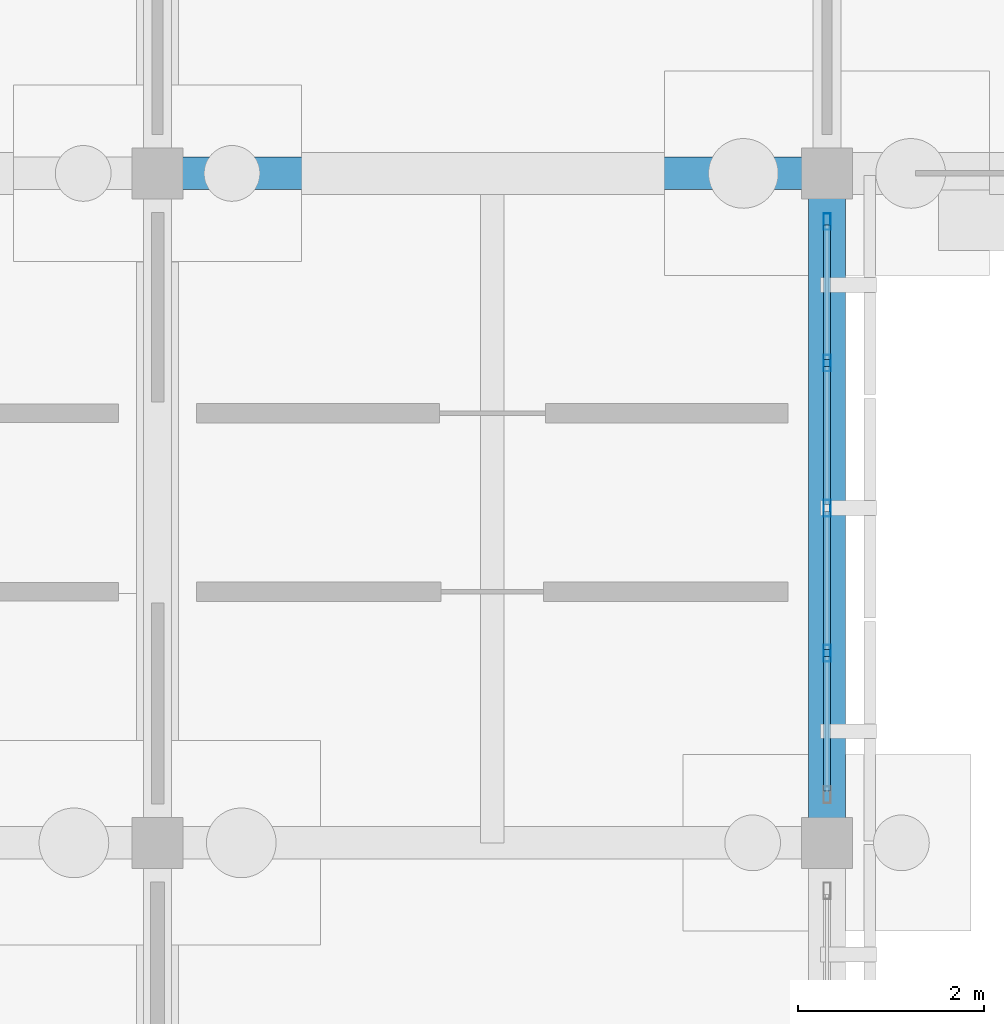
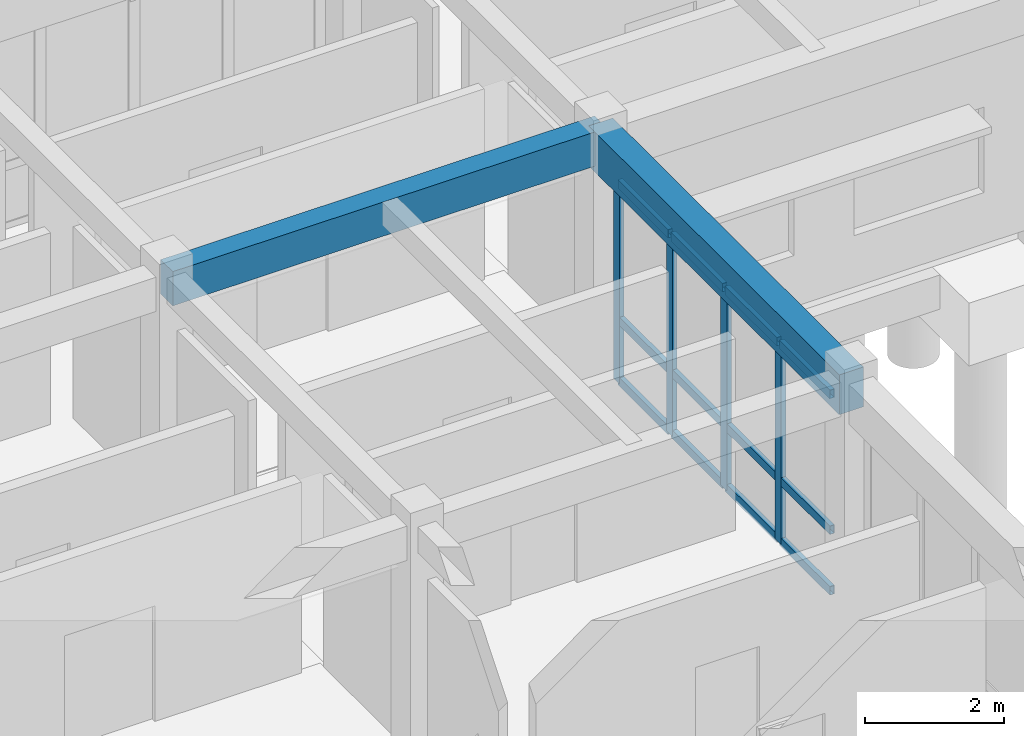
# One storey, part 26 of 111: 16 members, 2 beams, 1 element without a shape of its own.
"""IFC4 building model written with IfcOpenShell, lengths in metres."""

from ifc_helpers import new_model, si_unit, direction, frame, origin, origin_2d, place, context, subcontext, project, spatial, rectangle, hollow_rectangle, extrude, material, material_profile, profile_set, type_object, element, aggregate, save


model = new_model("IFC4")

# Units and contexts
model_context = context("Model", 3, precision=1e-05, world=origin(), true_north=direction((0.0, 1.0)))
body_context = subcontext(model_context, "Body", "Model", "MODEL_VIEW")
ifc_project = project(units=[si_unit("LENGTHUNIT", "METRE"), si_unit("AREAUNIT", "SQUARE_METRE"), si_unit("VOLUMEUNIT", "CUBIC_METRE"), si_unit("PLANEANGLEUNIT", "RADIAN"), si_unit("MASSUNIT", "GRAM", prefix="KILO")], contexts=[model_context])

# Site, building, storey
site_placement = place(None, origin())
site = spatial("IfcSite", under=ifc_project, at=site_placement, CompositionType="ELEMENT")
building_placement = place(site_placement, origin())
building = spatial("IfcBuilding", under=site, at=building_placement, Name="Aldebral Square Health Centre", CompositionType="ELEMENT")
storey_placement = place(building_placement, origin())
storey = spatial("IfcBuildingStorey", under=building, at=storey_placement, Name="L00", CompositionType="ELEMENT", Elevation=0.0)

# Beams
ifc_material_1 = material(Name="Concrete C40/50", Category="concrete")
ifc_material_profile_1 = material_profile(ifc_material_1, rectangle(XDim=0.35009765625, YDim=0.60009765625, at=origin_2d()), Name="RC 350x600")
ifc_profile_set_1 = profile_set([ifc_material_profile_1], Name="Concrete C40/50")
beam_type_1 = type_object("IfcBeamType", Name="BM-B2", PredefinedType="BEAM", material=ifc_profile_set_1)
beam_1_placement = place(storey_placement, frame((100.800048828125, 93.60009765625, 3.919921875), z_axis=(1.0, 0.0, 0.0), x_axis=(0.0, 1.0, 0.0)))
element("IfcBeam", 1, at=beam_1_placement, inside=storey, type_object=beam_type_1, Name="L00 X-beam 15-16/G14", PredefinedType="BEAM", context=body_context, shape_type="SweptSolid", body=[
    extrude(rectangle(XDim=0.35009765625, YDim=0.60009765625, at=origin_2d()), origin(), (0.0, 0.0, 1.0), 7.199951171875),
])
ifc_material_profile_2 = material_profile(ifc_material_1, rectangle(XDim=0.39990234375, YDim=0.699951171875, at=origin_2d()), Name="RC 400x700")
ifc_profile_set_2 = profile_set([ifc_material_profile_2], Name="Concrete C40/50")
beam_type_2 = type_object("IfcBeamType", Name="BM-G3", PredefinedType="T_BEAM", material=ifc_profile_set_2)
beam_2_placement = place(storey_placement, frame((108.0, 86.39990234375, 3.8701171875), z_axis=(0.0, 1.0, 0.0), x_axis=(-1.0, 0.0, 0.0)))
element("IfcBeam", 2, at=beam_2_placement, inside=storey, type_object=beam_type_2, Name="L00 Y-beam G16/13-14", PredefinedType="T_BEAM", context=body_context, shape_type="SweptSolid", body=[
    extrude(rectangle(XDim=0.39990234375, YDim=0.699951171875, at=origin_2d()), origin(), (0.0, 0.0, 1.0), 7.2001953125),
])

# Curtain wall, members
ifc_material_2 = material(Name="Aluminium and low-E solar glass", Category="aluminium")
curtain_wall_type = type_object("IfcCurtainWallType", Name="CW-HALL-SYS", PredefinedType="USERDEFINED", material=ifc_material_2)
curtain_wall_placement = place(storey_placement, origin())
curtain_wall = element("IfcCurtainWall", 3, at=curtain_wall_placement, inside=storey, type_object=curtain_wall_type, Name="L00 V1 hall curtain wall L00-V1-14-12-E", ObjectType="HALL_CURTAIN_WALL", PredefinedType="USERDEFINED")
ifc_material_3 = material(Name="Anodised aluminium mullion", Category="aluminium")
ifc_material_profile_3 = material_profile(ifc_material_3, hollow_rectangle(XDim=0.074951171875, YDim=0.179931640625, WallThickness=0.00390625, at=origin_2d()), Name="CWM 75x180x4")
ifc_profile_set_3 = profile_set([ifc_material_profile_3], Name="Anodised aluminium mullion")
member_type_1 = type_object("IfcMemberType", Name="CWM-STD", PredefinedType="MULLION", material=ifc_profile_set_3)
member_1_placement = place(storey_placement, frame((108.0, 88.43994140625, 0.0), z_axis=(0.0, 0.0, 1.0), x_axis=(-1.0, 0.0, 0.0)))
member_1 = element("IfcMember", 4, at=member_1_placement, type_object=member_type_1, Name="CW2 mullion 2", PredefinedType="MULLION", context=body_context, shape_type="SweptSolid", body=[
    extrude(hollow_rectangle(XDim=0.074951171875, YDim=0.179931640625, WallThickness=0.00390625, at=origin_2d()), origin(), (0.0, 0.0, 1.0), 3.52001953125),
])
member_2_placement = place(storey_placement, frame((108.0, 90.0, 0.0), z_axis=(0.0, 0.0, 1.0), x_axis=(-1.0, 0.0, 0.0)))
member_2 = element("IfcMember", 5, at=member_2_placement, type_object=member_type_1, Name="CW2 mullion 3", PredefinedType="MULLION", context=body_context, shape_type="SweptSolid", body=[
    extrude(hollow_rectangle(XDim=0.074951171875, YDim=0.179931640625, WallThickness=0.00390625, at=origin_2d()), origin(), (0.0, 0.0, 1.0), 3.52001953125),
])
member_3_placement = place(storey_placement, frame((108.0, 91.56005859375, 0.0), z_axis=(0.0, 0.0, 1.0), x_axis=(-1.0, 0.0, 0.0)))
member_3 = element("IfcMember", 6, at=member_3_placement, type_object=member_type_1, Name="CW2 mullion 4", PredefinedType="MULLION", context=body_context, shape_type="SweptSolid", body=[
    extrude(hollow_rectangle(XDim=0.074951171875, YDim=0.179931640625, WallThickness=0.00390625, at=origin_2d()), origin(), (0.0, 0.0, 1.0), 3.52001953125),
])
member_4_placement = place(storey_placement, frame((108.0, 93.08251953125, 0.0), z_axis=(0.0, 0.0, 1.0), x_axis=(-1.0, 0.0, 0.0)))
member_4 = element("IfcMember", 7, at=member_4_placement, type_object=member_type_1, Name="CW2 mullion 5", PredefinedType="MULLION", context=body_context, shape_type="SweptSolid", body=[
    extrude(hollow_rectangle(XDim=0.074951171875, YDim=0.179931640625, WallThickness=0.00390625, at=origin_2d()), origin(), (0.0, 0.0, 1.0), 3.52001953125),
])
ifc_material_4 = material(Name="Anodised aluminium transom", Category="aluminium")
ifc_material_profile_4 = material_profile(ifc_material_4, hollow_rectangle(XDim=0.074951171875, YDim=0.14990234375, WallThickness=0.00390625, at=origin_2d()), Name="CWT 75x150x4")
ifc_profile_set_4 = profile_set([ifc_material_profile_4], Name="Anodised aluminium transom")
member_type_2 = type_object("IfcMemberType", Name="CWT-STD", PredefinedType="USERDEFINED", material=ifc_profile_set_4)
member_5_placement = place(storey_placement, frame((108.0, 86.955078125, 0.03759765625), z_axis=(0.0, 1.0, 0.0), x_axis=(-1.0, 0.0, 0.0)))
member_5 = element("IfcMember", 8, at=member_5_placement, type_object=member_type_2, Name="CW2 transom 1.1", ObjectType="TRANSOM", PredefinedType="USERDEFINED", context=body_context, shape_type="SweptSolid", body=[
    extrude(hollow_rectangle(XDim=0.074951171875, YDim=0.14990234375, WallThickness=0.00390625, at=origin_2d()), origin(), (0.0, 0.0, 1.0), 1.447509765625),
])
member_6_placement = place(storey_placement, frame((108.0, 86.955078125, 1.10009765625), z_axis=(0.0, 1.0, 0.0), x_axis=(-1.0, 0.0, 0.0)))
member_6 = element("IfcMember", 9, at=member_6_placement, type_object=member_type_2, Name="CW2 transom 1.2", ObjectType="TRANSOM", PredefinedType="USERDEFINED", context=body_context, shape_type="SweptSolid", body=[
    extrude(hollow_rectangle(XDim=0.074951171875, YDim=0.14990234375, WallThickness=0.00390625, at=origin_2d()), origin(), (0.0, 0.0, 1.0), 1.447509765625),
])
member_7_placement = place(storey_placement, frame((108.0, 86.955078125, 3.482421875), z_axis=(0.0, 1.0, 0.0), x_axis=(-1.0, 0.0, 0.0)))
member_7 = element("IfcMember", 10, at=member_7_placement, type_object=member_type_2, Name="CW2 transom 1.3", ObjectType="TRANSOM", PredefinedType="USERDEFINED", context=body_context, shape_type="SweptSolid", body=[
    extrude(hollow_rectangle(XDim=0.074951171875, YDim=0.14990234375, WallThickness=0.00390625, at=origin_2d()), origin(), (0.0, 0.0, 1.0), 1.447509765625),
])
member_8_placement = place(storey_placement, frame((108.0, 88.4775390625, 0.03759765625), z_axis=(0.0, 1.0, 0.0), x_axis=(-1.0, 0.0, 0.0)))
member_8 = element("IfcMember", 11, at=member_8_placement, type_object=member_type_2, Name="CW2 transom 2.1", ObjectType="TRANSOM", PredefinedType="USERDEFINED", context=body_context, shape_type="SweptSolid", body=[
    extrude(hollow_rectangle(XDim=0.074951171875, YDim=0.14990234375, WallThickness=0.00390625, at=origin_2d()), origin(), (0.0, 0.0, 1.0), 1.48486328125),
])
member_9_placement = place(storey_placement, frame((108.0, 88.4775390625, 1.10009765625), z_axis=(0.0, 1.0, 0.0), x_axis=(-1.0, 0.0, 0.0)))
member_9 = element("IfcMember", 12, at=member_9_placement, type_object=member_type_2, Name="CW2 transom 2.2", ObjectType="TRANSOM", PredefinedType="USERDEFINED", context=body_context, shape_type="SweptSolid", body=[
    extrude(hollow_rectangle(XDim=0.074951171875, YDim=0.14990234375, WallThickness=0.00390625, at=origin_2d()), origin(), (0.0, 0.0, 1.0), 1.48486328125),
])
member_10_placement = place(storey_placement, frame((108.0, 88.4775390625, 3.482421875), z_axis=(0.0, 1.0, 0.0), x_axis=(-1.0, 0.0, 0.0)))
member_10 = element("IfcMember", 13, at=member_10_placement, type_object=member_type_2, Name="CW2 transom 2.3", ObjectType="TRANSOM", PredefinedType="USERDEFINED", context=body_context, shape_type="SweptSolid", body=[
    extrude(hollow_rectangle(XDim=0.074951171875, YDim=0.14990234375, WallThickness=0.00390625, at=origin_2d()), origin(), (0.0, 0.0, 1.0), 1.48486328125),
])
member_11_placement = place(storey_placement, frame((108.0, 90.03759765625, 0.03759765625), z_axis=(0.0, 1.0, 0.0), x_axis=(-1.0, 0.0, 0.0)))
member_11 = element("IfcMember", 14, at=member_11_placement, type_object=member_type_2, Name="CW2 transom 3.1", ObjectType="TRANSOM", PredefinedType="USERDEFINED", context=body_context, shape_type="SweptSolid", body=[
    extrude(hollow_rectangle(XDim=0.074951171875, YDim=0.14990234375, WallThickness=0.00390625, at=origin_2d()), origin(), (0.0, 0.0, 1.0), 1.48486328125),
])
member_12_placement = place(storey_placement, frame((108.0, 90.03759765625, 1.10009765625), z_axis=(0.0, 1.0, 0.0), x_axis=(-1.0, 0.0, 0.0)))
member_12 = element("IfcMember", 15, at=member_12_placement, type_object=member_type_2, Name="CW2 transom 3.2", ObjectType="TRANSOM", PredefinedType="USERDEFINED", context=body_context, shape_type="SweptSolid", body=[
    extrude(hollow_rectangle(XDim=0.074951171875, YDim=0.14990234375, WallThickness=0.00390625, at=origin_2d()), origin(), (0.0, 0.0, 1.0), 1.48486328125),
])
member_13_placement = place(storey_placement, frame((108.0, 90.03759765625, 3.482421875), z_axis=(0.0, 1.0, 0.0), x_axis=(-1.0, 0.0, 0.0)))
member_13 = element("IfcMember", 16, at=member_13_placement, type_object=member_type_2, Name="CW2 transom 3.3", ObjectType="TRANSOM", PredefinedType="USERDEFINED", context=body_context, shape_type="SweptSolid", body=[
    extrude(hollow_rectangle(XDim=0.074951171875, YDim=0.14990234375, WallThickness=0.00390625, at=origin_2d()), origin(), (0.0, 0.0, 1.0), 1.48486328125),
])
member_14_placement = place(storey_placement, frame((108.0, 91.597412109375, 0.03759765625), z_axis=(0.0, 1.0, 0.0), x_axis=(-1.0, 0.0, 0.0)))
member_14 = element("IfcMember", 17, at=member_14_placement, type_object=member_type_2, Name="CW2 transom 4.1", ObjectType="TRANSOM", PredefinedType="USERDEFINED", context=body_context, shape_type="SweptSolid", body=[
    extrude(hollow_rectangle(XDim=0.074951171875, YDim=0.14990234375, WallThickness=0.00390625, at=origin_2d()), origin(), (0.0, 0.0, 1.0), 1.447509765625),
])
member_15_placement = place(storey_placement, frame((108.0, 91.597412109375, 1.10009765625), z_axis=(0.0, 1.0, 0.0), x_axis=(-1.0, 0.0, 0.0)))
member_15 = element("IfcMember", 18, at=member_15_placement, type_object=member_type_2, Name="CW2 transom 4.2", ObjectType="TRANSOM", PredefinedType="USERDEFINED", context=body_context, shape_type="SweptSolid", body=[
    extrude(hollow_rectangle(XDim=0.074951171875, YDim=0.14990234375, WallThickness=0.00390625, at=origin_2d()), origin(), (0.0, 0.0, 1.0), 1.447509765625),
])
member_16_placement = place(storey_placement, frame((108.0, 91.597412109375, 3.482421875), z_axis=(0.0, 1.0, 0.0), x_axis=(-1.0, 0.0, 0.0)))
member_16 = element("IfcMember", 19, at=member_16_placement, type_object=member_type_2, Name="CW2 transom 4.3", ObjectType="TRANSOM", PredefinedType="USERDEFINED", context=body_context, shape_type="SweptSolid", body=[
    extrude(hollow_rectangle(XDim=0.074951171875, YDim=0.14990234375, WallThickness=0.00390625, at=origin_2d()), origin(), (0.0, 0.0, 1.0), 1.447509765625),
])
aggregate(curtain_wall, [member_1, member_2, member_3, member_4, member_5, member_6, member_7, member_8, member_9, member_10, member_11, member_12, member_13, member_14, member_15, member_16])

save(model, "model.ifc")
